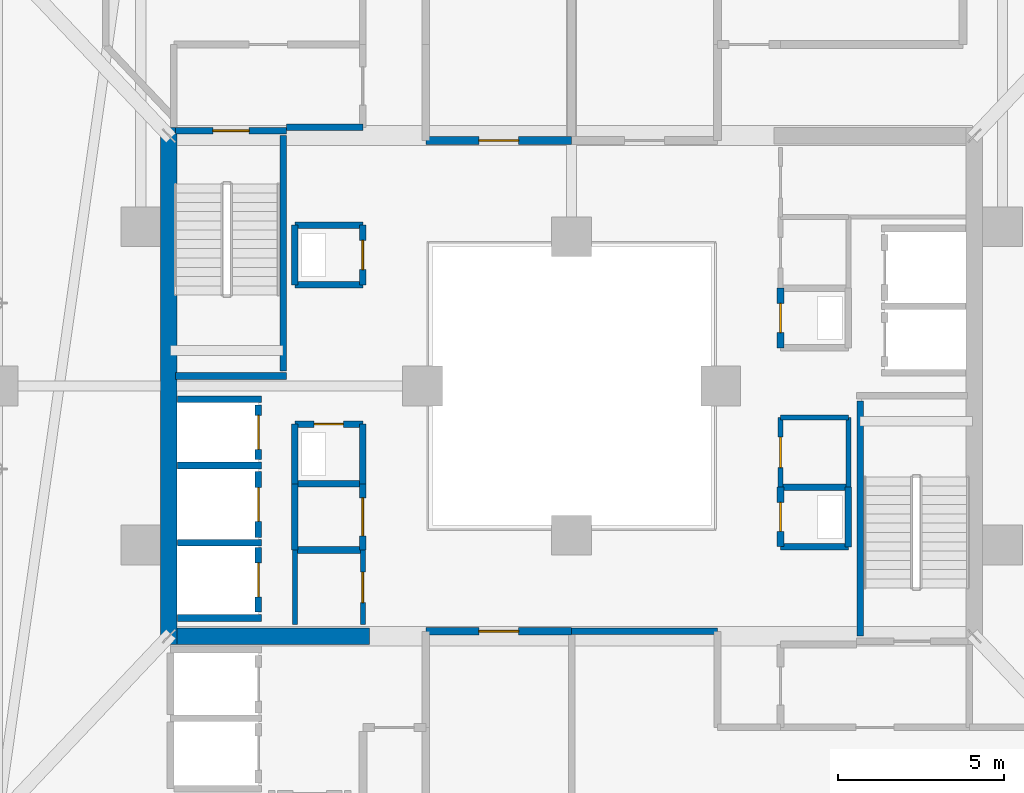
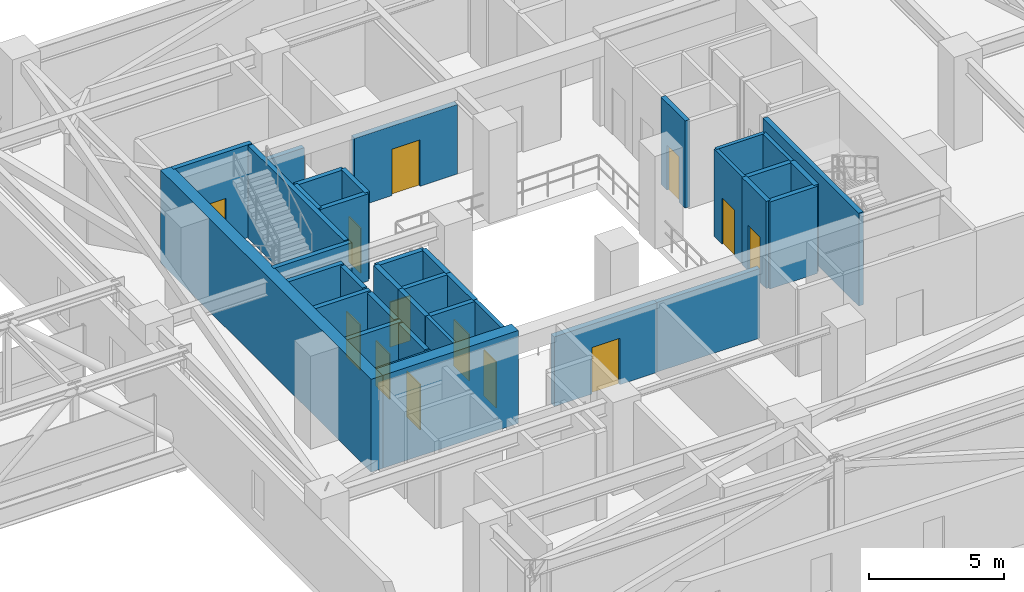
# One storey, part 40 of 45: 38 walls, 13 doors, 13 openings.
"""IFC4 building model written with IfcOpenShell, lengths in metres."""

import ifcopenshell
import ifcopenshell.guid

model = None  # the IFC model being written
_history = None  # IfcOwnerHistory: only IFC2X3 demands one
_inside = {}  # id of a spatial element -> (the spatial element, [elements in it])
_under = {}  # id of a project, library or spatial element -> (it, [spatial elements below it])
_declared = {}  # id of a project -> (the project, [libraries it declares])
_typed = {}  # id of a type object -> (the type object, [elements of that type])
_made_of = {}  # id of a material, layer set ... -> (it, [elements and type objects made of it])


def new_model(schema):
    """Start an empty IFC model of exactly this schema.

    Asked for "IFC4X3", IfcOpenShell would pick the latest addendum, in which some entities
    have other attributes; the version numbers below select the first issue.
    IFC2X3 requires an IfcOwnerHistory on every rooted entity: one is made here for all.
    """
    global model, _history
    if schema == "IFC4X3":
        model = ifcopenshell.file(schema_version=(4, 3, 0, 0))
    else:
        model = ifcopenshell.file(schema=schema)
    _inside.clear()
    _under.clear()
    _declared.clear()
    _typed.clear()
    _made_of.clear()
    _history = None
    if model.schema == "IFC2X3":
        org = make("IfcOrganization", Name="unknown")
        user = make(
            "IfcPersonAndOrganization",
            ThePerson=make("IfcPerson", FamilyName="unknown"),
            TheOrganization=org,
        )
        app = make(
            "IfcApplication",
            ApplicationDeveloper=org,
            Version="unknown",
            ApplicationFullName="unknown",
            ApplicationIdentifier="unknown",
        )
        _history = make(
            "IfcOwnerHistory",
            OwningUser=user,
            OwningApplication=app,
            ChangeAction="ADDED",
            CreationDate=0,
        )
    return model


def make(cls, **values):
    """One entity of the class cls with the attributes given. An attribute that is None is left unset."""
    return model.create_entity(
        cls, **{name: value for name, value in values.items() if value is not None}
    )


def rooted(cls, **values):
    """An entity with a GlobalId (a new one), such as an element, a storey or a relation."""
    return make(cls, GlobalId=ifcopenshell.guid.new(), OwnerHistory=_history, **values)


def si_unit(unit_type, name, prefix=None):
    """IfcSIUnit, for example si_unit("LENGTHUNIT", "METRE", prefix="MILLI")."""
    return make("IfcSIUnit", UnitType=unit_type, Prefix=prefix, Name=name)


def assignment(units):
    """IfcUnitAssignment: the units of a project."""
    return None if units is None else make("IfcUnitAssignment", Units=units)


def point(xyz):
    """IfcCartesianPoint."""
    return None if xyz is None else make("IfcCartesianPoint", Coordinates=xyz)


def direction(xyz):
    """IfcDirection."""
    return None if xyz is None else make("IfcDirection", DirectionRatios=xyz)


def frame(location, z_axis=None, x_axis=None):
    """IfcAxis2Placement3D, a coordinate frame: its origin and axes. An axis left out is left unset."""
    return make(
        "IfcAxis2Placement3D",
        Location=point(location),
        Axis=direction(z_axis),
        RefDirection=direction(x_axis),
    )


def frame_2d(location, x_axis=None):
    """IfcAxis2Placement2D, a coordinate frame in the plane: its origin and x axis."""
    return make(
        "IfcAxis2Placement2D", Location=point(location), RefDirection=direction(x_axis)
    )


def origin():
    """The frame at (0, 0, 0) with its axes left unset."""
    return frame((0.0, 0.0, 0.0))


def place(relative_to, where):
    """IfcLocalPlacement: puts the frame where relative to a parent placement (None: the world)."""
    return make(
        "IfcLocalPlacement", PlacementRelTo=relative_to, RelativePlacement=where
    )


def context(
    kind, dimensions, precision=None, world=None, true_north=None, identifier=None
):
    """IfcGeometricRepresentationContext, for example the 3D "Model" context."""
    return make(
        "IfcGeometricRepresentationContext",
        ContextIdentifier=identifier,
        ContextType=kind,
        CoordinateSpaceDimension=dimensions,
        Precision=precision,
        WorldCoordinateSystem=world,
        TrueNorth=true_north,
    )


def subcontext(parent, identifier, kind, view, scale=None):
    """IfcGeometricRepresentationSubContext, for example "Body" below "Model"."""
    return make(
        "IfcGeometricRepresentationSubContext",
        ContextIdentifier=identifier,
        ContextType=kind,
        ParentContext=parent,
        TargetScale=scale,
        TargetView=view,
    )


def project(units=None, contexts=None):
    """IfcProject with its units and contexts."""
    return rooted(
        "IfcProject",
        Name="project",
        RepresentationContexts=contexts,
        UnitsInContext=assignment(units),
    )


def spatial(cls, under=None, at=None, **own):
    """A site, building, storey or space (cls), placed at a placement, below another one or the project."""
    s = rooted(cls, ObjectPlacement=at, **own)
    if under is not None:
        _under.setdefault(under.id(), (under, []))[1].append(s)
    return s


def profile(cls, at=None, kind="AREA", **sizes):
    """A parametric profile (cls). Its sizes go by their IFC names, for example OverallWidth=200.0."""
    return make(cls, ProfileType=kind, Position=at, **sizes)


def rectangle(**sizes):
    """IfcRectangleProfileDef."""
    return profile("IfcRectangleProfileDef", **sizes)


def extrude(swept, where, along, depth):
    """IfcExtrudedAreaSolid: the profile swept, set in the frame where, extruded along a direction by depth."""
    return make(
        "IfcExtrudedAreaSolid",
        SweptArea=swept,
        Position=where,
        ExtrudedDirection=direction(along),
        Depth=depth,
    )


def shape(context_of_items, identifier, shape_type, items):
    """IfcShapeRepresentation: the items that make up one representation, for example the "Body"."""
    return make(
        "IfcShapeRepresentation",
        ContextOfItems=context_of_items,
        RepresentationIdentifier=identifier,
        RepresentationType=shape_type,
        Items=items,
    )


def material(Name=None, Category=None):
    """IfcMaterial."""
    return make("IfcMaterial", Name=Name, Category=Category)


def layer(
    of_material, thickness, ventilated=None, Name=None, Category=None, Priority=None
):
    """IfcMaterialLayer: one layer of a wall or slab, of a material (None: an air gap)."""
    return make(
        "IfcMaterialLayer",
        Material=of_material,
        LayerThickness=thickness,
        IsVentilated=ventilated,
        Name=Name,
        Category=Category,
        Priority=Priority,
    )


def layer_set(layers, Name=None):
    """IfcMaterialLayerSet."""
    return make("IfcMaterialLayerSet", MaterialLayers=layers, LayerSetName=Name)


def made_of(thing, what):
    """Note that an element or type object is made of a material, layer set ...; save() writes the relation."""
    if what is not None:
        _made_of.setdefault(what.id(), (what, []))[1].append(thing)
    return thing


def type_object(cls, material=None, **own):
    """A type object (cls), such as IfcWallType, which elements share."""
    return made_of(rooted(cls, **own), material)


def element(
    cls,
    number,
    at=None,
    inside=None,
    cuts=None,
    type_object=None,
    material=None,
    context=None,
    identifier="Body",
    shape_type=None,
    held_by="IfcProductDefinitionShape",
    body=None,
    shapes=None,
    **own,
):
    """One element of the class cls, such as IfcWall. Its Tag is "e" and its number.

    at: its placement. inside: the storey or other place that contains it. cuts: it is an
    opening in that element (IfcRelVoidsElement). A single representation is given by context,
    identifier, shape_type and body (its items); several are given by shapes. held_by: the class
    of the entity that holds the representations. save() writes the other relations.
    """
    e = rooted(cls, Tag="e%d" % number, ObjectPlacement=at, **own)
    if body is not None:
        shapes = [shape(context, identifier, shape_type, body)]
    if shapes is not None:
        e.Representation = make(held_by, Representations=shapes)
    if inside is not None:
        _inside.setdefault(inside.id(), (inside, []))[1].append(e)
    if cuts is not None:
        rooted(
            "IfcRelVoidsElement", RelatingBuildingElement=cuts, RelatedOpeningElement=e
        )
    if type_object is not None:
        _typed.setdefault(type_object.id(), (type_object, []))[1].append(e)
    return made_of(e, material)


def fill(opening, filler):
    """IfcRelFillsElement: the door or window that sits in an opening."""
    return rooted(
        "IfcRelFillsElement",
        RelatingOpeningElement=opening,
        RelatedBuildingElement=filler,
    )


def aggregate(whole, parts):
    """IfcRelAggregates: a whole, such as a stair, and the parts it consists of."""
    return rooted("IfcRelAggregates", RelatingObject=whole, RelatedObjects=parts)


def save(model, path):
    """Write the relations noted so far, then the file.

    IfcRelAggregates (storeys below a building ...), IfcRelContainedInSpatialStructure (elements
    in a storey), IfcRelDefinesByType, IfcRelAssociatesMaterial and IfcRelDeclares: one each for
    every whole, place, type object, material and project.
    """
    for whole, parts in _under.values():
        aggregate(whole, parts)
    for where, things in _inside.values():
        rooted(
            "IfcRelContainedInSpatialStructure",
            RelatedElements=things,
            RelatingStructure=where,
        )
    for kind, things in _typed.values():
        rooted("IfcRelDefinesByType", RelatedObjects=things, RelatingType=kind)
    for what, things in _made_of.values():
        rooted("IfcRelAssociatesMaterial", RelatedObjects=things, RelatingMaterial=what)
    for by, libraries in _declared.values():
        rooted("IfcRelDeclares", RelatingContext=by, RelatedDefinitions=libraries)
    model.write(path)


model = new_model("IFC4")

# Units and contexts
model_context = context("Model", 3, precision=1e-05, world=origin(), true_north=direction((0.0, 1.0)))
body_context = subcontext(model_context, "Body", "Model", "MODEL_VIEW")
ifc_project = project(units=[si_unit("LENGTHUNIT", "METRE"), si_unit("AREAUNIT", "SQUARE_METRE"), si_unit("VOLUMEUNIT", "CUBIC_METRE"), si_unit("PLANEANGLEUNIT", "RADIAN"), si_unit("MASSUNIT", "GRAM", prefix="KILO")], contexts=[model_context])

# Site, building, storey
site_placement = place(None, origin())
site = spatial("IfcSite", under=ifc_project, at=site_placement, CompositionType="ELEMENT")
building_placement = place(site_placement, origin())
building = spatial("IfcBuilding", under=site, at=building_placement, Name="Thornwick Lancets Civic Towers", CompositionType="ELEMENT")
storey_placement = place(building_placement, frame((0.0, 0.0, 141.300048828125)))
storey = spatial("IfcBuildingStorey", under=building, at=storey_placement, Name="L37", CompositionType="ELEMENT", Elevation=141.300048828125)

# Wall, opening, door
ifc_material_1 = material(Name="Concrete blockwork C40/50", Category="masonry")
ifc_layer_1 = layer(ifc_material_1, 0.199951171875, Name="Concrete blockwork C40/50")
ifc_layer_set_1 = layer_set([ifc_layer_1], Name="Concrete blockwork C40/50")
wall_type_1 = type_object("IfcWallType", Name="WALL_COMP_200", PredefinedType="STANDARD", material=ifc_layer_set_1)
wall_1_placement = place(storey_placement, frame((79.050048828125, 24.780029296875, 0.0), z_axis=(0.0, 0.0, 1.0), x_axis=(0.0, 1.0, 0.0)))
wall_1 = element("IfcWall", 1, at=wall_1_placement, inside=storey, type_object=wall_type_1, Name="L37 Hoistway Front Wall FL-B2", PredefinedType="STANDARD", context=body_context, shape_type="SweptSolid", body=[
    extrude(rectangle(XDim=1.639892578125, YDim=0.199951171875, at=frame_2d((0.81982421875, 0.0))), origin(), (0.0, 0.0, 1.0), 3.93994140625),
])
opening_1_placement = place(wall_1_placement, frame((0.31005859375, 0.0, 0.0)))
opening_1 = element("IfcOpeningElement", 2, at=opening_1_placement, cuts=wall_1, Name="Opening LD-FL-B2", PredefinedType="OPENING", context=body_context, shape_type="SweptSolid", body=[
    extrude(rectangle(XDim=1.02001953125, YDim=2.06005859375, at=frame_2d((0.510009765625, 1.030029296875))), frame((0.0, 0.10986328125, 0.0), z_axis=(0.0, -1.0, 0.0), x_axis=(1.0, 0.0, 0.0)), (0.0, 0.0, 1.0), 0.219970703125),
])
ifc_material_2 = material(Name="Brushed bronze stainless steel", Category="steel")
door_type_1 = type_object("IfcDoorType", Name="DOOR_LIFT_SLIDE", OperationType="SLIDING_TO_LEFT", PredefinedType="DOOR", material=ifc_material_2)
door_1_placement = place(opening_1_placement, origin())
door_1 = element("IfcDoor", 3, at=door_1_placement, inside=storey, type_object=door_type_1, Name="L37 Sliding Lift Landing Door LD-FL-B2", OperationType="SLIDING_TO_LEFT", OverallHeight=2.06005859375, OverallWidth=1.02001953125, PredefinedType="DOOR", context=body_context, shape_type="SweptSolid", body=[
    extrude(rectangle(XDim=1.02001953125, YDim=2.06005859375, at=frame_2d((0.510009765625, 1.030029296875))), frame((0.0, 0.02490234375, 0.0), z_axis=(0.0, -1.0, 0.0), x_axis=(1.0, 0.0, 0.0)), (0.0, 0.0, 1.0), 0.050048828125),
])
fill(opening_1, door_1)

wall_2_placement = place(storey_placement, frame((79.050048828125, 22.429931640625, 0.0), z_axis=(0.0, 0.0, 1.0), x_axis=(0.0, 1.0, 0.0)))
wall_2 = element("IfcWall", 4, at=wall_2_placement, inside=storey, type_object=wall_type_1, Name="L37 Hoistway Front Wall PL-BH2", PredefinedType="STANDARD", context=body_context, shape_type="SweptSolid", body=[
    extrude(rectangle(XDim=1.989990234375, YDim=0.199951171875, at=frame_2d((0.9951171875, 0.0))), origin(), (0.0, 0.0, 1.0), 3.93994140625),
])
opening_2_placement = place(wall_2_placement, frame((0.485107421875, 0.0, 0.0)))
opening_2 = element("IfcOpeningElement", 5, at=opening_2_placement, cuts=wall_2, Name="Opening LD-PL-BH2", PredefinedType="OPENING", context=body_context, shape_type="SweptSolid", body=[
    extrude(rectangle(XDim=1.02001953125, YDim=2.06005859375, at=frame_2d((0.510009765625, 1.030029296875))), frame((0.0, 0.10986328125, 0.0), z_axis=(0.0, -1.0, 0.0), x_axis=(1.0, 0.0, 0.0)), (0.0, 0.0, 1.0), 0.219970703125),
])
door_2_placement = place(opening_2_placement, origin())
door_2 = element("IfcDoor", 6, at=door_2_placement, inside=storey, type_object=door_type_1, Name="L37 Sliding Lift Landing Door LD-PL-BH2", OperationType="SLIDING_TO_LEFT", OverallHeight=2.06005859375, OverallWidth=1.02001953125, PredefinedType="DOOR", context=body_context, shape_type="SweptSolid", body=[
    extrude(rectangle(XDim=1.02001953125, YDim=2.06005859375, at=frame_2d((0.510009765625, 1.030029296875))), frame((0.0, 0.02490234375, 0.0), z_axis=(0.0, -1.0, 0.0), x_axis=(1.0, 0.0, 0.0)), (0.0, 0.0, 1.0), 0.050048828125),
])
fill(opening_2, door_2)

wall_3_placement = place(storey_placement, frame((79.050048828125, 20.179931640625, 0.0), z_axis=(0.0, 0.0, 1.0), x_axis=(0.0, 1.0, 0.0)))
wall_3 = element("IfcWall", 7, at=wall_3_placement, inside=storey, type_object=wall_type_1, Name="L37 Hoistway Front Wall PL-BH3", PredefinedType="STANDARD", context=body_context, shape_type="SweptSolid", body=[
    extrude(rectangle(XDim=1.940185546875, YDim=0.199951171875, at=frame_2d((0.97021484375, 0.0))), origin(), (0.0, 0.0, 1.0), 3.93994140625),
])
opening_3_placement = place(wall_3_placement, frame((0.4599609375, 0.0, 0.0)))
opening_3 = element("IfcOpeningElement", 8, at=opening_3_placement, cuts=wall_3, Name="Opening LD-PL-BH3", PredefinedType="OPENING", context=body_context, shape_type="SweptSolid", body=[
    extrude(rectangle(XDim=1.02001953125, YDim=2.06005859375, at=frame_2d((0.510009765625, 1.030029296875))), frame((0.0, 0.10986328125, 0.0), z_axis=(0.0, -1.0, 0.0), x_axis=(1.0, 0.0, 0.0)), (0.0, 0.0, 1.0), 0.219970703125),
])
door_3_placement = place(opening_3_placement, origin())
door_3 = element("IfcDoor", 9, at=door_3_placement, inside=storey, type_object=door_type_1, Name="L37 Sliding Lift Landing Door LD-PL-BH3", OperationType="SLIDING_TO_LEFT", OverallHeight=2.06005859375, OverallWidth=1.02001953125, PredefinedType="DOOR", context=body_context, shape_type="SweptSolid", body=[
    extrude(rectangle(XDim=1.02001953125, YDim=2.06005859375, at=frame_2d((0.510009765625, 1.030029296875))), frame((0.0, 0.02490234375, 0.0), z_axis=(0.0, -1.0, 0.0), x_axis=(1.0, 0.0, 0.0)), (0.0, 0.0, 1.0), 0.050048828125),
])
fill(opening_3, door_3)

# Walls
for number, where, z_axis, x_axis, name in (
    (10, (76.612060546875, 26.60009765625, 0.0), (0.0, 0.0, 1.0), (1.0, 0.0, 0.0), "L37 Hoistway Shaft Wall FL-B2 N"),
    (11, (76.612060546875, 24.60009765625, 0.0), (0.0, 0.0, 1.0), (1.0, 0.0, 0.0), "L37 Hoistway Shaft Wall FL-B2 S"),
    (12, (76.612060546875, 22.27490234375, 0.0), (0.0, 0.0, 1.0), (1.0, 0.0, 0.0), "L37 Hoistway Shaft Wall PL-BH2 S"),
    (13, (76.612060546875, 20.0, 0.0), (0.0, 0.0, 1.0), (1.0, 0.0, 0.0), "L37 Hoistway Shaft Wall PL-BH3 S"),
):
    element("IfcWall", number, at=place(storey_placement, frame(where, z_axis=z_axis, x_axis=x_axis)), inside=storey, type_object=wall_type_1, Name=name, PredefinedType="STANDARD", context=body_context, shape_type="SweptSolid", body=[
        extrude(rectangle(XDim=2.535888671875, YDim=0.199951171875, at=frame_2d((1.26806640625, 0.0))), origin(), (0.0, 0.0, 1.0), 3.93994140625),
    ])
wall_4_placement = place(storey_placement, frame((79.89990234375, 34.800048828125, 0.0), z_axis=(0.0, 0.0, 1.0), x_axis=(1.0, 0.0, 0.0)))
element("IfcWall", 14, at=wall_4_placement, inside=storey, type_object=wall_type_1, Name="L37 Partition L37-B-FFLOB2 E1", PredefinedType="STANDARD", context=body_context, shape_type="SweptSolid", body=[
    extrude(rectangle(XDim=2.300048828125, YDim=0.199951171875, at=frame_2d((1.14990234375, 0.0))), origin(), (0.0, 0.0, 1.0), 3.14501953125),
])

# Wall, opening, door
wall_5_placement = place(storey_placement, frame((94.800048828125, 29.949951171875, 0.0), z_axis=(0.0, 0.0, 1.0), x_axis=(0.0, -1.0, 0.0)))
wall_5 = element("IfcWall", 15, at=wall_5_placement, inside=storey, type_object=wall_type_1, Name="L37 Partition L37-B-DUCT1 E4", PredefinedType="STANDARD", context=body_context, shape_type="SweptSolid", body=[
    extrude(rectangle(XDim=1.800048828125, YDim=0.199951171875, at=frame_2d((0.89990234375, 0.0))), origin(), (0.0, 0.0, 1.0), 3.93994140625),
])
opening_4_placement = place(wall_5_placement, frame((0.4599609375, 0.0, 0.0)))
opening_4 = element("IfcOpeningElement", 16, at=opening_4_placement, cuts=wall_5, Name="Opening D-L37-1680", PredefinedType="OPENING", context=body_context, shape_type="SweptSolid", body=[
    extrude(rectangle(XDim=0.8798828125, YDim=2.0400390625, at=frame_2d((0.43994140625, 1.02001953125))), frame((0.0, 0.10986328125, 0.0), z_axis=(0.0, -1.0, 0.0), x_axis=(1.0, 0.0, 0.0)), (0.0, 0.0, 1.0), 0.219970703125),
])
ifc_material_3 = material(Name="Steel riser access doorset", Category="steel")
door_type_2 = type_object("IfcDoorType", Name="DOOR_RISER_850", OperationType="NOTDEFINED", PredefinedType="DOOR", material=ifc_material_3)
door_4_placement = place(opening_4_placement, origin())
door_4 = element("IfcDoor", 17, at=door_4_placement, inside=storey, type_object=door_type_2, Name="L37 East Service Duct 1 Door", OperationType="SINGLE_SWING_LEFT", OverallHeight=2.0400390625, OverallWidth=0.8798828125, PredefinedType="DOOR", context=body_context, shape_type="SweptSolid", body=[
    extrude(rectangle(XDim=0.8798828125, YDim=2.0400390625, at=frame_2d((0.43994140625, 1.02001953125))), frame((0.0, 0.02490234375, 0.0), z_axis=(0.0, -1.0, 0.0), x_axis=(1.0, 0.0, 0.0)), (0.0, 0.0, 1.0), 0.050048828125),
])
fill(opening_4, door_4)

# Walls
wall_6_placement = place(storey_placement, frame((94.800048828125, 22.14990234375, 0.0), z_axis=(0.0, 0.0, 1.0), x_axis=(1.0, 0.0, 0.0)))
element("IfcWall", 18, at=wall_6_placement, inside=storey, type_object=wall_type_1, Name="L37 Partition L37-B-RISER1 E1", PredefinedType="STANDARD", context=body_context, shape_type="SweptSolid", body=[
    extrude(rectangle(XDim=2.050048828125, YDim=0.199951171875, at=frame_2d((1.02490234375, 0.0))), origin(), (0.0, 0.0, 1.0), 3.93994140625),
])
wall_7_placement = place(storey_placement, frame((96.85009765625, 22.14990234375, 0.0), z_axis=(0.0, 0.0, 1.0), x_axis=(0.0, 1.0, 0.0)))
element("IfcWall", 19, at=wall_7_placement, inside=storey, type_object=wall_type_1, Name="L37 Partition L37-B-RISER1 E2", PredefinedType="STANDARD", context=body_context, shape_type="SweptSolid", body=[
    extrude(rectangle(XDim=1.800048828125, YDim=0.199951171875, at=frame_2d((0.89990234375, 0.0))), origin(), (0.0, 0.0, 1.0), 3.93994140625),
])
wall_8_placement = place(storey_placement, frame((96.85009765625, 23.949951171875, 0.0), z_axis=(0.0, 0.0, 1.0), x_axis=(-1.0, 0.0, 0.0)))
element("IfcWall", 20, at=wall_8_placement, inside=storey, type_object=wall_type_1, Name="L37 Partition L37-B-RISER1 E3", PredefinedType="STANDARD", context=body_context, shape_type="SweptSolid", body=[
    extrude(rectangle(XDim=2.050048828125, YDim=0.199951171875, at=frame_2d((1.02490234375, 0.0))), origin(), (0.0, 0.0, 1.0), 3.93994140625),
])

# Wall, opening, door
wall_9_placement = place(storey_placement, frame((94.800048828125, 23.949951171875, 0.0), z_axis=(0.0, 0.0, 1.0), x_axis=(0.0, -1.0, 0.0)))
wall_9 = element("IfcWall", 21, at=wall_9_placement, inside=storey, type_object=wall_type_1, Name="L37 Partition L37-B-RISER1 E4", PredefinedType="STANDARD", context=body_context, shape_type="SweptSolid", body=[
    extrude(rectangle(XDim=1.800048828125, YDim=0.199951171875, at=frame_2d((0.89990234375, 0.0))), origin(), (0.0, 0.0, 1.0), 3.93994140625),
])
opening_5_placement = place(wall_9_placement, frame((0.4599609375, 0.0, 0.0)))
opening_5 = element("IfcOpeningElement", 22, at=opening_5_placement, cuts=wall_9, Name="Opening D-L37-1681", PredefinedType="OPENING", context=body_context, shape_type="SweptSolid", body=[
    extrude(rectangle(XDim=0.8798828125, YDim=2.0400390625, at=frame_2d((0.43994140625, 1.02001953125))), frame((0.0, 0.10986328125, 0.0), z_axis=(0.0, -1.0, 0.0), x_axis=(1.0, 0.0, 0.0)), (0.0, 0.0, 1.0), 0.219970703125),
])
door_5_placement = place(opening_5_placement, origin())
door_5 = element("IfcDoor", 23, at=door_5_placement, inside=storey, type_object=door_type_2, Name="L37 East Electrical Riser 1 Door", OperationType="SINGLE_SWING_RIGHT", OverallHeight=2.0400390625, OverallWidth=0.8798828125, PredefinedType="DOOR", context=body_context, shape_type="SweptSolid", body=[
    extrude(rectangle(XDim=0.8798828125, YDim=2.0400390625, at=frame_2d((0.43994140625, 1.02001953125))), frame((0.0, 0.02490234375, 0.0), z_axis=(0.0, -1.0, 0.0), x_axis=(1.0, 0.0, 0.0)), (0.0, 0.0, 1.0), 0.050048828125),
])
fill(opening_5, door_5)

# Walls
wall_10_placement = place(storey_placement, frame((80.14990234375, 24.050048828125, 0.0), z_axis=(0.0, 0.0, 1.0), x_axis=(1.0, 0.0, 0.0)))
element("IfcWall", 24, at=wall_10_placement, inside=storey, type_object=wall_type_1, Name="L37 Partition L37-B-DUCT2 E1", PredefinedType="STANDARD", context=body_context, shape_type="SweptSolid", body=[
    extrude(rectangle(XDim=2.050048828125, YDim=0.199951171875, at=frame_2d((1.02490234375, 0.0))), origin(), (0.0, 0.0, 1.0), 3.93994140625),
])
wall_11_placement = place(storey_placement, frame((82.199951171875, 24.050048828125, 0.0), z_axis=(0.0, 0.0, 1.0), x_axis=(0.0, 1.0, 0.0)))
element("IfcWall", 25, at=wall_11_placement, inside=storey, type_object=wall_type_1, Name="L37 Partition L37-B-DUCT2 E2", PredefinedType="STANDARD", context=body_context, shape_type="SweptSolid", body=[
    extrude(rectangle(XDim=1.800048828125, YDim=0.199951171875, at=frame_2d((0.89990234375, 0.0))), origin(), (0.0, 0.0, 1.0), 3.93994140625),
])

# Wall, opening, door
wall_12_placement = place(storey_placement, frame((82.199951171875, 25.85009765625, 0.0), z_axis=(0.0, 0.0, 1.0), x_axis=(-1.0, 0.0, 0.0)))
wall_12 = element("IfcWall", 26, at=wall_12_placement, inside=storey, type_object=wall_type_1, Name="L37 Partition L37-B-DUCT2 E3", PredefinedType="STANDARD", context=body_context, shape_type="SweptSolid", body=[
    extrude(rectangle(XDim=2.050048828125, YDim=0.199951171875, at=frame_2d((1.02490234375, 0.0))), origin(), (0.0, 0.0, 1.0), 3.93994140625),
])
opening_6_placement = place(wall_12_placement, frame((0.5849609375, 0.0, 0.0)))
opening_6 = element("IfcOpeningElement", 27, at=opening_6_placement, cuts=wall_12, Name="Opening D-L37-1682", PredefinedType="OPENING", context=body_context, shape_type="SweptSolid", body=[
    extrude(rectangle(XDim=0.8798828125, YDim=2.0400390625, at=frame_2d((0.43994140625, 1.02001953125))), frame((0.0, 0.10986328125, 0.0), z_axis=(0.0, -1.0, 0.0), x_axis=(1.0, 0.0, 0.0)), (0.0, 0.0, 1.0), 0.219970703125),
])
door_6_placement = place(opening_6_placement, origin())
door_6 = element("IfcDoor", 28, at=door_6_placement, inside=storey, type_object=door_type_2, Name="L37 West Service Duct 2 Door", OperationType="SINGLE_SWING_LEFT", OverallHeight=2.0400390625, OverallWidth=0.8798828125, PredefinedType="DOOR", context=body_context, shape_type="SweptSolid", body=[
    extrude(rectangle(XDim=0.8798828125, YDim=2.0400390625, at=frame_2d((0.43994140625, 1.02001953125))), frame((0.0, 0.02490234375, 0.0), z_axis=(0.0, -1.0, 0.0), x_axis=(1.0, 0.0, 0.0)), (0.0, 0.0, 1.0), 0.050048828125),
])
fill(opening_6, door_6)

# Walls
wall_13_placement = place(storey_placement, frame((80.14990234375, 25.85009765625, 0.0), z_axis=(0.0, 0.0, 1.0), x_axis=(0.0, -1.0, 0.0)))
element("IfcWall", 29, at=wall_13_placement, inside=storey, type_object=wall_type_1, Name="L37 Partition L37-B-DUCT2 E4", PredefinedType="STANDARD", context=body_context, shape_type="SweptSolid", body=[
    extrude(rectangle(XDim=1.800048828125, YDim=0.199951171875, at=frame_2d((0.89990234375, 0.0))), origin(), (0.0, 0.0, 1.0), 3.93994140625),
])
wall_14_placement = place(storey_placement, frame((80.14990234375, 30.050048828125, 0.0), z_axis=(0.0, 0.0, 1.0), x_axis=(1.0, 0.0, 0.0)))
element("IfcWall", 30, at=wall_14_placement, inside=storey, type_object=wall_type_1, Name="L37 Partition L37-B-RISER2 E1", PredefinedType="STANDARD", context=body_context, shape_type="SweptSolid", body=[
    extrude(rectangle(XDim=2.050048828125, YDim=0.199951171875, at=frame_2d((1.02490234375, 0.0))), origin(), (0.0, 0.0, 1.0), 3.93994140625),
])

# Wall, opening, door
wall_15_placement = place(storey_placement, frame((82.199951171875, 30.050048828125, 0.0), z_axis=(0.0, 0.0, 1.0), x_axis=(0.0, 1.0, 0.0)))
wall_15 = element("IfcWall", 31, at=wall_15_placement, inside=storey, type_object=wall_type_1, Name="L37 Partition L37-B-RISER2 E2", PredefinedType="STANDARD", context=body_context, shape_type="SweptSolid", body=[
    extrude(rectangle(XDim=1.800048828125, YDim=0.199951171875, at=frame_2d((0.89990234375, 0.0))), origin(), (0.0, 0.0, 1.0), 3.93994140625),
])
opening_7_placement = place(wall_15_placement, frame((0.4599609375, 0.0, 0.0)))
opening_7 = element("IfcOpeningElement", 32, at=opening_7_placement, cuts=wall_15, Name="Opening D-L37-1683", PredefinedType="OPENING", context=body_context, shape_type="SweptSolid", body=[
    extrude(rectangle(XDim=0.8798828125, YDim=2.0400390625, at=frame_2d((0.43994140625, 1.02001953125))), frame((0.0, 0.10986328125, 0.0), z_axis=(0.0, -1.0, 0.0), x_axis=(1.0, 0.0, 0.0)), (0.0, 0.0, 1.0), 0.219970703125),
])
door_7_placement = place(opening_7_placement, origin())
door_7 = element("IfcDoor", 33, at=door_7_placement, inside=storey, type_object=door_type_2, Name="L37 West Service Riser 2 Door", OperationType="SINGLE_SWING_RIGHT", OverallHeight=2.0400390625, OverallWidth=0.8798828125, PredefinedType="DOOR", context=body_context, shape_type="SweptSolid", body=[
    extrude(rectangle(XDim=0.8798828125, YDim=2.0400390625, at=frame_2d((0.43994140625, 1.02001953125))), frame((0.0, 0.02490234375, 0.0), z_axis=(0.0, -1.0, 0.0), x_axis=(1.0, 0.0, 0.0)), (0.0, 0.0, 1.0), 0.050048828125),
])
fill(opening_7, door_7)

# Walls
wall_16_placement = place(storey_placement, frame((82.199951171875, 31.85009765625, 0.0), z_axis=(0.0, 0.0, 1.0), x_axis=(-1.0, 0.0, 0.0)))
element("IfcWall", 34, at=wall_16_placement, inside=storey, type_object=wall_type_1, Name="L37 Partition L37-B-RISER2 E3", PredefinedType="STANDARD", context=body_context, shape_type="SweptSolid", body=[
    extrude(rectangle(XDim=2.050048828125, YDim=0.199951171875, at=frame_2d((1.02490234375, 0.0))), origin(), (0.0, 0.0, 1.0), 3.93994140625),
])
wall_17_placement = place(storey_placement, frame((80.14990234375, 31.85009765625, 0.0), z_axis=(0.0, 0.0, 1.0), x_axis=(0.0, -1.0, 0.0)))
element("IfcWall", 35, at=wall_17_placement, inside=storey, type_object=wall_type_1, Name="L37 Partition L37-B-RISER2 E4", PredefinedType="STANDARD", context=body_context, shape_type="SweptSolid", body=[
    extrude(rectangle(XDim=1.800048828125, YDim=0.199951171875, at=frame_2d((0.89990234375, 0.0))), origin(), (0.0, 0.0, 1.0), 3.93994140625),
])
wall_18_placement = place(storey_placement, frame((80.14990234375, 22.050048828125, 0.0), z_axis=(0.0, 0.0, 1.0), x_axis=(0.0, 1.0, 0.0)))
element("IfcWall", 36, at=wall_18_placement, inside=storey, type_object=wall_type_1, Name="L37 Partition L37-B-STR E1", PredefinedType="STANDARD", context=body_context, shape_type="SweptSolid", body=[
    extrude(rectangle(XDim=2.0, YDim=0.199951171875, at=frame_2d((1.0, 0.0))), origin(), (0.0, 0.0, 1.0), 3.93994140625),
])

# Wall, opening, door
wall_19_placement = place(storey_placement, frame((82.199951171875, 24.050048828125, 0.0), z_axis=(0.0, 0.0, 1.0), x_axis=(0.0, -1.0, 0.0)))
wall_19 = element("IfcWall", 37, at=wall_19_placement, inside=storey, type_object=wall_type_1, Name="L37 Partition L37-B-STR E3", PredefinedType="STANDARD", context=body_context, shape_type="SweptSolid", body=[
    extrude(rectangle(XDim=2.0, YDim=0.199951171875, at=frame_2d((1.0, 0.0))), origin(), (0.0, 0.0, 1.0), 3.93994140625),
])
opening_8_placement = place(wall_19_placement, frame((0.425048828125, 0.0, 0.0)))
opening_8 = element("IfcOpeningElement", 38, at=opening_8_placement, cuts=wall_19, Name="Opening D-L37-1688", PredefinedType="OPENING", context=body_context, shape_type="SweptSolid", body=[
    extrude(rectangle(XDim=1.14990234375, YDim=2.10009765625, at=frame_2d((0.574951171875, 1.050048828125))), frame((0.0, 0.10986328125, 0.0), z_axis=(0.0, -1.0, 0.0), x_axis=(1.0, 0.0, 0.0)), (0.0, 0.0, 1.0), 0.219970703125),
])
ifc_material_4 = material(Name="Glazed fire-resisting steel", Category="steel")
door_type_3 = type_object("IfcDoorType", Name="DOOR_LOBBY_FD60", OperationType="NOTDEFINED", PredefinedType="DOOR", material=ifc_material_4)
door_8_placement = place(opening_8_placement, origin())
door_8 = element("IfcDoor", 39, at=door_8_placement, inside=storey, type_object=door_type_3, Name="L37 Tower B Core Records Store Door", OperationType="SINGLE_SWING_LEFT", OverallHeight=2.10009765625, OverallWidth=1.14990234375, PredefinedType="DOOR", context=body_context, shape_type="SweptSolid", body=[
    extrude(rectangle(XDim=1.14990234375, YDim=2.10009765625, at=frame_2d((0.574951171875, 1.050048828125))), frame((0.0, 0.02490234375, 0.0), z_axis=(0.0, -1.0, 0.0), x_axis=(1.0, 0.0, 0.0)), (0.0, 0.0, 1.0), 0.050048828125),
])
fill(opening_8, door_8)

# Walls
wall_20_placement = place(storey_placement, frame((82.199951171875, 22.050048828125, 0.0), z_axis=(0.0, 0.0, 1.0), x_axis=(-1.0, 0.0, 0.0)))
element("IfcWall", 40, at=wall_20_placement, inside=storey, type_object=wall_type_1, Name="L37 Partition L37-B-STR E4", PredefinedType="STANDARD", context=body_context, shape_type="SweptSolid", body=[
    extrude(rectangle(XDim=2.050048828125, YDim=0.199951171875, at=frame_2d((1.02490234375, 0.0))), origin(), (0.0, 0.0, 1.0), 3.93994140625),
])
wall_21_placement = place(storey_placement, frame((88.5, 19.60009765625, 0.0), z_axis=(0.0, 0.0, 1.0), x_axis=(1.0, 0.0, 0.0)))
element("IfcWall", 41, at=wall_21_placement, inside=storey, type_object=wall_type_1, Name="L37 Partition L37-B-REF1 E10", PredefinedType="STANDARD", context=body_context, shape_type="SweptSolid", body=[
    extrude(rectangle(XDim=4.39990234375, YDim=0.199951171875, at=frame_2d((2.199951171875, 0.0))), origin(), (0.0, 0.0, 1.0), 3.14501953125),
])

# Wall, opening, door
ifc_layer_2 = layer(ifc_material_1, 0.239990234375, Name="Concrete blockwork C40/50")
ifc_layer_set_2 = layer_set([ifc_layer_2], Name="Concrete blockwork C40/50")
wall_type_2 = type_object("IfcWallType", Name="WALL_COMP_240", PredefinedType="STANDARD", material=ifc_layer_set_2)
wall_22_placement = place(storey_placement, frame((88.5, 34.39990234375, 0.0), z_axis=(0.0, 0.0, 1.0), x_axis=(-1.0, 0.0, 0.0)))
wall_22 = element("IfcWall", 42, at=wall_22_placement, inside=storey, type_object=wall_type_2, Name="L37 Partition L37-B-PL-PRS E5", PredefinedType="STANDARD", context=body_context, shape_type="SweptSolid", body=[
    extrude(rectangle(XDim=4.39990234375, YDim=0.239990234375, at=frame_2d((2.199951171875, 0.0))), origin(), (0.0, 0.0, 1.0), 3.14501953125),
])
opening_9_placement = place(wall_22_placement, frame((1.60009765625, 0.0, 0.0)))
opening_9 = element("IfcOpeningElement", 43, at=opening_9_placement, cuts=wall_22, Name="Opening D-L37-1697", PredefinedType="OPENING", context=body_context, shape_type="SweptSolid", body=[
    extrude(rectangle(XDim=1.199951171875, YDim=2.10009765625, at=frame_2d((0.60009765625, 1.050048828125))), frame((0.0, 0.1298828125, 0.0), z_axis=(0.0, -1.0, 0.0), x_axis=(1.0, 0.0, 0.0)), (0.0, 0.0, 1.0), 0.260009765625),
])
ifc_material_5 = material(Name="Steel plant room doorset", Category="steel")
door_type_4 = type_object("IfcDoorType", Name="DOOR_PLANT_1200", OperationType="NOTDEFINED", PredefinedType="DOOR", material=ifc_material_5)
door_9_placement = place(opening_9_placement, origin())
door_9 = element("IfcDoor", 44, at=door_9_placement, inside=storey, type_object=door_type_4, Name="L37 Tower B Pressurisation Air Handling Plant Room Door", OperationType="SINGLE_SWING_RIGHT", OverallHeight=2.10009765625, OverallWidth=1.199951171875, PredefinedType="DOOR", context=body_context, shape_type="SweptSolid", body=[
    extrude(rectangle(XDim=1.199951171875, YDim=2.10009765625, at=frame_2d((0.60009765625, 1.050048828125))), frame((0.0, 0.02490234375, 0.0), z_axis=(0.0, -1.0, 0.0), x_axis=(1.0, 0.0, 0.0)), (0.0, 0.0, 1.0), 0.050048828125),
])
fill(opening_9, door_9)

wall_23_placement = place(storey_placement, frame((84.10009765625, 19.60009765625, 0.0), z_axis=(0.0, 0.0, 1.0), x_axis=(1.0, 0.0, 0.0)))
wall_23 = element("IfcWall", 45, at=wall_23_placement, inside=storey, type_object=wall_type_2, Name="L37 Partition L37-B-PL-AHU E2", PredefinedType="STANDARD", context=body_context, shape_type="SweptSolid", body=[
    extrude(rectangle(XDim=4.39990234375, YDim=0.239990234375, at=frame_2d((2.199951171875, 0.0))), origin(), (0.0, 0.0, 1.0), 3.14501953125),
])
opening_10_placement = place(wall_23_placement, frame((1.60009765625, 0.0, 0.0)))
opening_10 = element("IfcOpeningElement", 46, at=opening_10_placement, cuts=wall_23, Name="Opening D-L37-1700", PredefinedType="OPENING", context=body_context, shape_type="SweptSolid", body=[
    extrude(rectangle(XDim=1.199951171875, YDim=2.10009765625, at=frame_2d((0.60009765625, 1.050048828125))), frame((0.0, 0.1298828125, 0.0), z_axis=(0.0, -1.0, 0.0), x_axis=(1.0, 0.0, 0.0)), (0.0, 0.0, 1.0), 0.260009765625),
])
door_10_placement = place(opening_10_placement, origin())
door_10 = element("IfcDoor", 47, at=door_10_placement, inside=storey, type_object=door_type_4, Name="L37 Tower B AHU and Ventilation Plant Room Door", OperationType="SINGLE_SWING_LEFT", OverallHeight=2.10009765625, OverallWidth=1.199951171875, PredefinedType="DOOR", context=body_context, shape_type="SweptSolid", body=[
    extrude(rectangle(XDim=1.199951171875, YDim=2.10009765625, at=frame_2d((0.60009765625, 1.050048828125))), frame((0.0, 0.02490234375, 0.0), z_axis=(0.0, -1.0, 0.0), x_axis=(1.0, 0.0, 0.0)), (0.0, 0.0, 1.0), 0.050048828125),
])
fill(opening_10, door_10)

# Walls
ifc_material_6 = material(Name="Concrete C50/60", Category="concrete")
ifc_layer_3 = layer(ifc_material_6, 0.5, Name="Concrete C50/60")
ifc_layer_set_3 = layer_set([ifc_layer_3], Name="Concrete C50/60")
wall_type_3 = type_object("IfcWallType", Name="WALL_CORE_500", PredefinedType="SHEAR", material=ifc_layer_set_3)
wall_24_placement = place(storey_placement, frame((76.35009765625, 19.199951171875, 0.0), z_axis=(0.0, 0.0, 1.0), x_axis=(0.0, 1.0, 0.0)))
element("IfcWall", 48, at=wall_24_placement, inside=storey, type_object=wall_type_3, Name="L37 Split Core B2 Shear Wall W", PredefinedType="SHEAR", context=body_context, shape_type="SweptSolid", body=[
    extrude(rectangle(XDim=15.60009765625, YDim=0.5, at=frame_2d((7.800048828125, 0.0))), origin(), (0.0, 0.0, 1.0), 4.199951171875),
])
wall_25_placement = place(storey_placement, frame((76.60009765625, 19.449951171875, 0.0), z_axis=(0.0, 0.0, 1.0), x_axis=(1.0, 0.0, 0.0)))
element("IfcWall", 49, at=wall_25_placement, inside=storey, type_object=wall_type_3, Name="L37 Split Core B2 Shear Wall S", PredefinedType="SHEAR", context=body_context, shape_type="SweptSolid", body=[
    extrude(rectangle(XDim=5.7998046875, YDim=0.5, at=frame_2d((2.89990234375, 0.0))), origin(), (0.0, 0.0, 1.0), 4.199951171875),
])

# Wall, opening, door
ifc_material_7 = material(Name="Twin-stud acoustic gypsum board")
ifc_layer_4 = layer(ifc_material_7, 0.14990234375, Name="Twin-stud acoustic gypsum board")
ifc_layer_set_4 = layer_set([ifc_layer_4], Name="Twin-stud acoustic gypsum board")
wall_type_4 = type_object("IfcWallType", Name="WALL_PART_150", PredefinedType="PARTITIONING", material=ifc_layer_set_4)
wall_26_placement = place(storey_placement, frame((94.800048828125, 23.949951171875, 0.0), z_axis=(0.0, 0.0, 1.0), x_axis=(0.0, 1.0, 0.0)))
wall_26 = element("IfcWall", 50, at=wall_26_placement, inside=storey, type_object=wall_type_4, Name="L37 Partition L37-B-MWC E1", PredefinedType="PARTITIONING", context=body_context, shape_type="SweptSolid", body=[
    extrude(rectangle(XDim=2.10009765625, YDim=0.14990234375, at=frame_2d((1.050048828125, 0.0))), origin(), (0.0, 0.0, 1.0), 3.93994140625),
])
opening_11_placement = place(wall_26_placement, frame((0.590087890625, 0.0, 0.0)))
opening_11 = element("IfcOpeningElement", 51, at=opening_11_placement, cuts=wall_26, Name="Opening D-L37-1684", PredefinedType="OPENING", context=body_context, shape_type="SweptSolid", body=[
    extrude(rectangle(XDim=0.919921875, YDim=2.080078125, at=frame_2d((0.4599609375, 1.0400390625))), frame((0.0, 0.0849609375, 0.0), z_axis=(0.0, -1.0, 0.0), x_axis=(1.0, 0.0, 0.0)), (0.0, 0.0, 1.0), 0.169921875),
])
ifc_material_8 = material(Name="Moisture-resistant oak doorset")
door_type_5 = type_object("IfcDoorType", Name="DOOR_WC_900", OperationType="NOTDEFINED", PredefinedType="DOOR", material=ifc_material_8)
door_11_placement = place(opening_11_placement, origin())
door_11 = element("IfcDoor", 52, at=door_11_placement, inside=storey, type_object=door_type_5, Name="L37 Tower B Male WC Door", OperationType="SINGLE_SWING_LEFT", OverallHeight=2.080078125, OverallWidth=0.919921875, PredefinedType="DOOR", context=body_context, shape_type="SweptSolid", body=[
    extrude(rectangle(XDim=0.919921875, YDim=2.080078125, at=frame_2d((0.4599609375, 1.0400390625))), frame((0.0, 0.02490234375, 0.0), z_axis=(0.0, -1.0, 0.0), x_axis=(1.0, 0.0, 0.0)), (0.0, 0.0, 1.0), 0.050048828125),
])
fill(opening_11, door_11)

# Walls
wall_27_placement = place(storey_placement, frame((94.800048828125, 26.050048828125, 0.0), z_axis=(0.0, 0.0, 1.0), x_axis=(1.0, 0.0, 0.0)))
element("IfcWall", 53, at=wall_27_placement, inside=storey, type_object=wall_type_4, Name="L37 Partition L37-B-MWC E2", PredefinedType="PARTITIONING", context=body_context, shape_type="SweptSolid", body=[
    extrude(rectangle(XDim=2.050048828125, YDim=0.14990234375, at=frame_2d((1.02490234375, 0.0))), origin(), (0.0, 0.0, 1.0), 3.93994140625),
])
wall_28_placement = place(storey_placement, frame((96.85009765625, 26.050048828125, 0.0), z_axis=(0.0, 0.0, 1.0), x_axis=(0.0, -1.0, 0.0)))
element("IfcWall", 54, at=wall_28_placement, inside=storey, type_object=wall_type_4, Name="L37 Partition L37-B-MWC E3", PredefinedType="PARTITIONING", context=body_context, shape_type="SweptSolid", body=[
    extrude(rectangle(XDim=2.10009765625, YDim=0.14990234375, at=frame_2d((1.050048828125, 0.0))), origin(), (0.0, 0.0, 1.0), 3.93994140625),
])

# Wall, opening, door
wall_29_placement = place(storey_placement, frame((82.199951171875, 19.800048828125, 0.0), z_axis=(0.0, 0.0, 1.0), x_axis=(0.0, 1.0, 0.0)))
wall_29 = element("IfcWall", 55, at=wall_29_placement, inside=storey, type_object=wall_type_4, Name="L37 Partition L37-B-AWC E2", PredefinedType="PARTITIONING", context=body_context, shape_type="SweptSolid", body=[
    extrude(rectangle(XDim=2.25, YDim=0.14990234375, at=frame_2d((1.125, 0.0))), origin(), (0.0, 0.0, 1.0), 3.93994140625),
])
opening_12_placement = place(wall_29_placement, frame((0.6650390625, 0.0, 0.0)))
opening_12 = element("IfcOpeningElement", 56, at=opening_12_placement, cuts=wall_29, Name="Opening D-L37-1687", PredefinedType="OPENING", context=body_context, shape_type="SweptSolid", body=[
    extrude(rectangle(XDim=0.919921875, YDim=2.080078125, at=frame_2d((0.4599609375, 1.0400390625))), frame((0.0, 0.0849609375, 0.0), z_axis=(0.0, -1.0, 0.0), x_axis=(1.0, 0.0, 0.0)), (0.0, 0.0, 1.0), 0.169921875),
])
door_12_placement = place(opening_12_placement, origin())
door_12 = element("IfcDoor", 57, at=door_12_placement, inside=storey, type_object=door_type_5, Name="L37 Tower B Accessible WC Door", OperationType="SINGLE_SWING_RIGHT", OverallHeight=2.080078125, OverallWidth=0.919921875, PredefinedType="DOOR", context=body_context, shape_type="SweptSolid", body=[
    extrude(rectangle(XDim=0.919921875, YDim=2.080078125, at=frame_2d((0.4599609375, 1.0400390625))), frame((0.0, 0.02490234375, 0.0), z_axis=(0.0, -1.0, 0.0), x_axis=(1.0, 0.0, 0.0)), (0.0, 0.0, 1.0), 0.050048828125),
])
fill(opening_12, door_12)

# Walls
wall_30_placement = place(storey_placement, frame((80.14990234375, 22.050048828125, 0.0), z_axis=(0.0, 0.0, 1.0), x_axis=(0.0, -1.0, 0.0)))
element("IfcWall", 58, at=wall_30_placement, inside=storey, type_object=wall_type_4, Name="L37 Partition L37-B-AWC E4", PredefinedType="PARTITIONING", context=body_context, shape_type="SweptSolid", body=[
    extrude(rectangle(XDim=2.25, YDim=0.14990234375, at=frame_2d((1.125, 0.0))), origin(), (0.0, 0.0, 1.0), 3.93994140625),
])
ifc_material_9 = material(Name="Concrete C40/50", Category="concrete")
ifc_layer_5 = layer(ifc_material_9, 0.199951171875, Name="Concrete C40/50")
ifc_layer_set_5 = layer_set([ifc_layer_5], Name="Concrete C40/50")
wall_type_5 = type_object("IfcWallType", Name="WALL_SHAFT_200", PredefinedType="SHEAR", material=ifc_layer_set_5)
wall_31_placement = place(storey_placement, frame((97.202880859375, 26.550048828125, 0.0), z_axis=(0.0, 0.0, 1.0), x_axis=(0.0, -1.0, 0.0)))
element("IfcWall", 59, at=wall_31_placement, inside=storey, type_object=wall_type_5, Name="L37 ST-B1 Fire Stair Core Wall RIGHT", PredefinedType="SHEAR", context=body_context, shape_type="SweptSolid", body=[
    extrude(rectangle(XDim=7.10009765625, YDim=0.199951171875, at=frame_2d((3.550048828125, 0.0))), origin(), (0.0, 0.0, 1.0), 4.199951171875),
])

# Wall, opening, door
wall_32_placement = place(storey_placement, frame((76.550048828125, 34.699951171875, 0.0), z_axis=(0.0, 0.0, 1.0), x_axis=(1.0, 0.0, 0.0)))
wall_32 = element("IfcWall", 60, at=wall_32_placement, inside=storey, type_object=wall_type_5, Name="L37 ST-B2 Fire Stair Core Wall NEAR", PredefinedType="SHEAR", context=body_context, shape_type="SweptSolid", body=[
    extrude(rectangle(XDim=3.349853515625, YDim=0.199951171875, at=frame_2d((1.6748046875, 0.0))), origin(), (0.0, 0.0, 1.0), 4.199951171875),
])
opening_13_placement = place(wall_32_placement, frame((1.125, 0.0, 0.0)))
opening_13 = element("IfcOpeningElement", 61, at=opening_13_placement, cuts=wall_32, Name="Opening D-ST-B2-L37", PredefinedType="OPENING", context=body_context, shape_type="SweptSolid", body=[
    extrude(rectangle(XDim=1.10009765625, YDim=2.10009765625, at=frame_2d((0.550048828125, 1.050048828125))), frame((0.0, 0.10986328125, 0.0), z_axis=(0.0, -1.0, 0.0), x_axis=(1.0, 0.0, 0.0)), (0.0, 0.0, 1.0), 0.219970703125),
])
ifc_material_10 = material(Name="Fire-resisting steel and hardwood", Category="steel")
door_type_6 = type_object("IfcDoorType", Name="DOOR_STAIR_FD60", OperationType="NOTDEFINED", PredefinedType="DOOR", material=ifc_material_10)
door_13_placement = place(opening_13_placement, origin())
door_13 = element("IfcDoor", 62, at=door_13_placement, inside=storey, type_object=door_type_6, Name="L37 ST-B2 Exit Stair Door", OperationType="SINGLE_SWING_LEFT", OverallHeight=2.10009765625, OverallWidth=1.10009765625, PredefinedType="DOOR", context=body_context, shape_type="SweptSolid", body=[
    extrude(rectangle(XDim=1.10009765625, YDim=2.10009765625, at=frame_2d((0.550048828125, 1.050048828125))), frame((0.0, 0.02490234375, 0.0), z_axis=(0.0, -1.0, 0.0), x_axis=(1.0, 0.0, 0.0)), (0.0, 0.0, 1.0), 0.050048828125),
])
fill(opening_13, door_13)

# Walls
wall_33_placement = place(storey_placement, frame((79.89990234375, 27.300048828125, 0.0), z_axis=(0.0, 0.0, 1.0), x_axis=(-1.0, 0.0, 0.0)))
element("IfcWall", 63, at=wall_33_placement, inside=storey, type_object=wall_type_5, Name="L37 ST-B2 Fire Stair Core Wall FAR", PredefinedType="SHEAR", context=body_context, shape_type="SweptSolid", body=[
    extrude(rectangle(XDim=3.349853515625, YDim=0.199951171875, at=frame_2d((1.6748046875, 0.0))), origin(), (0.0, 0.0, 1.0), 4.199951171875),
])
wall_34_placement = place(storey_placement, frame((79.797119140625, 27.449951171875, 0.0), z_axis=(0.0, 0.0, 1.0), x_axis=(0.0, 1.0, 0.0)))
element("IfcWall", 64, at=wall_34_placement, inside=storey, type_object=wall_type_5, Name="L37 ST-B2 Fire Stair Core Wall RIGHT", PredefinedType="SHEAR", context=body_context, shape_type="SweptSolid", body=[
    extrude(rectangle(XDim=7.10009765625, YDim=0.199951171875, at=frame_2d((3.550048828125, 0.0))), origin(), (0.0, 0.0, 1.0), 4.199951171875),
])

save(model, "model.ifc")
